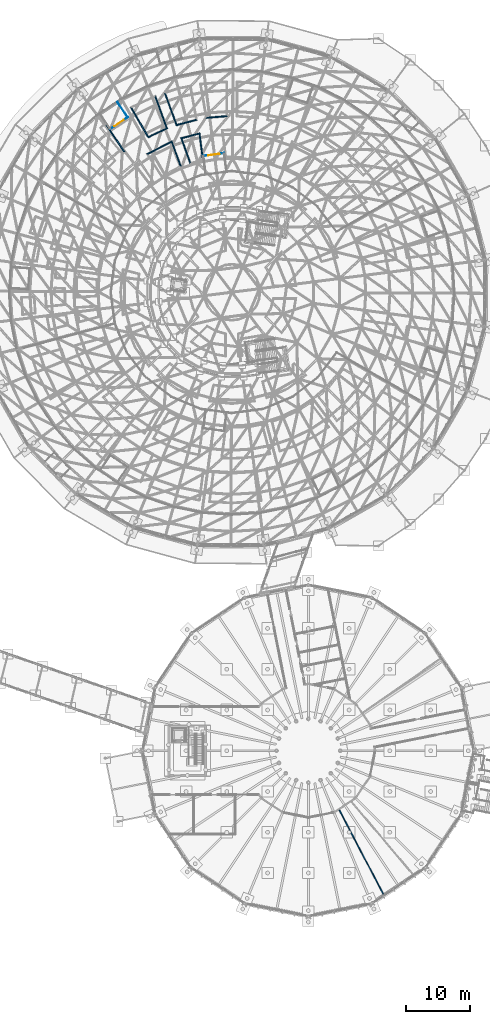
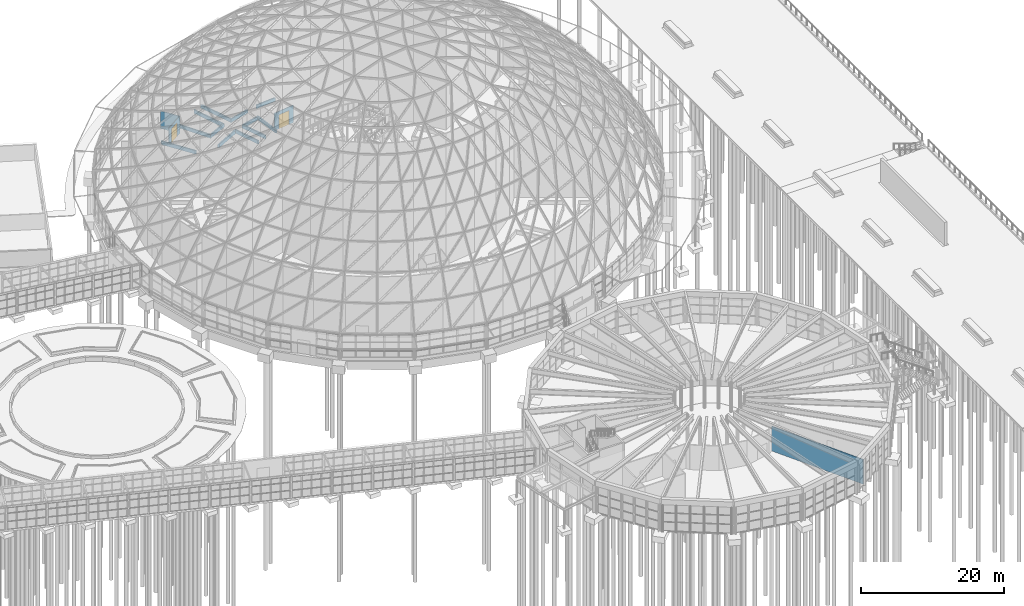
# One storey, part 172 of 226: 16 walls, 2 doors, 2 openings.
"""IFC4 building model written with IfcOpenShell, lengths in metres."""

import ifcopenshell
import ifcopenshell.guid

model = None  # the IFC model being written
_history = None  # IfcOwnerHistory: only IFC2X3 demands one
_inside = {}  # id of a spatial element -> (the spatial element, [elements in it])
_under = {}  # id of a project, library or spatial element -> (it, [spatial elements below it])
_declared = {}  # id of a project -> (the project, [libraries it declares])
_typed = {}  # id of a type object -> (the type object, [elements of that type])
_made_of = {}  # id of a material, layer set ... -> (it, [elements and type objects made of it])


def new_model(schema):
    """Start an empty IFC model of exactly this schema.

    Asked for "IFC4X3", IfcOpenShell would pick the latest addendum, in which some entities
    have other attributes; the version numbers below select the first issue.
    IFC2X3 requires an IfcOwnerHistory on every rooted entity: one is made here for all.
    """
    global model, _history
    if schema == "IFC4X3":
        model = ifcopenshell.file(schema_version=(4, 3, 0, 0))
    else:
        model = ifcopenshell.file(schema=schema)
    _inside.clear()
    _under.clear()
    _declared.clear()
    _typed.clear()
    _made_of.clear()
    _history = None
    if model.schema == "IFC2X3":
        org = make("IfcOrganization", Name="unknown")
        user = make(
            "IfcPersonAndOrganization",
            ThePerson=make("IfcPerson", FamilyName="unknown"),
            TheOrganization=org,
        )
        app = make(
            "IfcApplication",
            ApplicationDeveloper=org,
            Version="unknown",
            ApplicationFullName="unknown",
            ApplicationIdentifier="unknown",
        )
        _history = make(
            "IfcOwnerHistory",
            OwningUser=user,
            OwningApplication=app,
            ChangeAction="ADDED",
            CreationDate=0,
        )
    return model


def make(cls, **values):
    """One entity of the class cls with the attributes given. An attribute that is None is left unset."""
    return model.create_entity(
        cls, **{name: value for name, value in values.items() if value is not None}
    )


def rooted(cls, **values):
    """An entity with a GlobalId (a new one), such as an element, a storey or a relation."""
    return make(cls, GlobalId=ifcopenshell.guid.new(), OwnerHistory=_history, **values)


def si_unit(unit_type, name, prefix=None):
    """IfcSIUnit, for example si_unit("LENGTHUNIT", "METRE", prefix="MILLI")."""
    return make("IfcSIUnit", UnitType=unit_type, Prefix=prefix, Name=name)


def assignment(units):
    """IfcUnitAssignment: the units of a project."""
    return None if units is None else make("IfcUnitAssignment", Units=units)


def point(xyz):
    """IfcCartesianPoint."""
    return None if xyz is None else make("IfcCartesianPoint", Coordinates=xyz)


def direction(xyz):
    """IfcDirection."""
    return None if xyz is None else make("IfcDirection", DirectionRatios=xyz)


def frame(location, z_axis=None, x_axis=None):
    """IfcAxis2Placement3D, a coordinate frame: its origin and axes. An axis left out is left unset."""
    return make(
        "IfcAxis2Placement3D",
        Location=point(location),
        Axis=direction(z_axis),
        RefDirection=direction(x_axis),
    )


def frame_2d(location, x_axis=None):
    """IfcAxis2Placement2D, a coordinate frame in the plane: its origin and x axis."""
    return make(
        "IfcAxis2Placement2D", Location=point(location), RefDirection=direction(x_axis)
    )


def origin():
    """The frame at (0, 0, 0) with its axes left unset."""
    return frame((0.0, 0.0, 0.0))


def place(relative_to, where):
    """IfcLocalPlacement: puts the frame where relative to a parent placement (None: the world)."""
    return make(
        "IfcLocalPlacement", PlacementRelTo=relative_to, RelativePlacement=where
    )


def context(
    kind, dimensions, precision=None, world=None, true_north=None, identifier=None
):
    """IfcGeometricRepresentationContext, for example the 3D "Model" context."""
    return make(
        "IfcGeometricRepresentationContext",
        ContextIdentifier=identifier,
        ContextType=kind,
        CoordinateSpaceDimension=dimensions,
        Precision=precision,
        WorldCoordinateSystem=world,
        TrueNorth=true_north,
    )


def subcontext(parent, identifier, kind, view, scale=None):
    """IfcGeometricRepresentationSubContext, for example "Body" below "Model"."""
    return make(
        "IfcGeometricRepresentationSubContext",
        ContextIdentifier=identifier,
        ContextType=kind,
        ParentContext=parent,
        TargetScale=scale,
        TargetView=view,
    )


def project(units=None, contexts=None):
    """IfcProject with its units and contexts."""
    return rooted(
        "IfcProject",
        Name="project",
        RepresentationContexts=contexts,
        UnitsInContext=assignment(units),
    )


def spatial(cls, under=None, at=None, **own):
    """A site, building, storey or space (cls), placed at a placement, below another one or the project."""
    s = rooted(cls, ObjectPlacement=at, **own)
    if under is not None:
        _under.setdefault(under.id(), (under, []))[1].append(s)
    return s


def polyline(points):
    """IfcPolyline through the points."""
    return make("IfcPolyline", Points=[point(p) for p in points])


def profile(cls, at=None, kind="AREA", **sizes):
    """A parametric profile (cls). Its sizes go by their IFC names, for example OverallWidth=200.0."""
    return make(cls, ProfileType=kind, Position=at, **sizes)


def rectangle(**sizes):
    """IfcRectangleProfileDef."""
    return profile("IfcRectangleProfileDef", **sizes)


def outline(outer, holes=None, kind="AREA"):
    """IfcArbitraryClosedProfileDef: a profile drawn as a closed curve; with holes, ...WithVoids."""
    if holes is None:
        return make("IfcArbitraryClosedProfileDef", ProfileType=kind, OuterCurve=outer)
    return make(
        "IfcArbitraryProfileDefWithVoids",
        ProfileType=kind,
        OuterCurve=outer,
        InnerCurves=holes,
    )


def extrude(swept, where, along, depth):
    """IfcExtrudedAreaSolid: the profile swept, set in the frame where, extruded along a direction by depth."""
    return make(
        "IfcExtrudedAreaSolid",
        SweptArea=swept,
        Position=where,
        ExtrudedDirection=direction(along),
        Depth=depth,
    )


def shape(context_of_items, identifier, shape_type, items):
    """IfcShapeRepresentation: the items that make up one representation, for example the "Body"."""
    return make(
        "IfcShapeRepresentation",
        ContextOfItems=context_of_items,
        RepresentationIdentifier=identifier,
        RepresentationType=shape_type,
        Items=items,
    )


def material(Name=None, Category=None):
    """IfcMaterial."""
    return make("IfcMaterial", Name=Name, Category=Category)


def layer(
    of_material, thickness, ventilated=None, Name=None, Category=None, Priority=None
):
    """IfcMaterialLayer: one layer of a wall or slab, of a material (None: an air gap)."""
    return make(
        "IfcMaterialLayer",
        Material=of_material,
        LayerThickness=thickness,
        IsVentilated=ventilated,
        Name=Name,
        Category=Category,
        Priority=Priority,
    )


def layer_set(layers, Name=None):
    """IfcMaterialLayerSet."""
    return make("IfcMaterialLayerSet", MaterialLayers=layers, LayerSetName=Name)


def made_of(thing, what):
    """Note that an element or type object is made of a material, layer set ...; save() writes the relation."""
    if what is not None:
        _made_of.setdefault(what.id(), (what, []))[1].append(thing)
    return thing


def type_object(cls, material=None, **own):
    """A type object (cls), such as IfcWallType, which elements share."""
    return made_of(rooted(cls, **own), material)


def element(
    cls,
    number,
    at=None,
    inside=None,
    cuts=None,
    type_object=None,
    material=None,
    context=None,
    identifier="Body",
    shape_type=None,
    held_by="IfcProductDefinitionShape",
    body=None,
    shapes=None,
    **own,
):
    """One element of the class cls, such as IfcWall. Its Tag is "e" and its number.

    at: its placement. inside: the storey or other place that contains it. cuts: it is an
    opening in that element (IfcRelVoidsElement). A single representation is given by context,
    identifier, shape_type and body (its items); several are given by shapes. held_by: the class
    of the entity that holds the representations. save() writes the other relations.
    """
    e = rooted(cls, Tag="e%d" % number, ObjectPlacement=at, **own)
    if body is not None:
        shapes = [shape(context, identifier, shape_type, body)]
    if shapes is not None:
        e.Representation = make(held_by, Representations=shapes)
    if inside is not None:
        _inside.setdefault(inside.id(), (inside, []))[1].append(e)
    if cuts is not None:
        rooted(
            "IfcRelVoidsElement", RelatingBuildingElement=cuts, RelatedOpeningElement=e
        )
    if type_object is not None:
        _typed.setdefault(type_object.id(), (type_object, []))[1].append(e)
    return made_of(e, material)


def fill(opening, filler):
    """IfcRelFillsElement: the door or window that sits in an opening."""
    return rooted(
        "IfcRelFillsElement",
        RelatingOpeningElement=opening,
        RelatedBuildingElement=filler,
    )


def aggregate(whole, parts):
    """IfcRelAggregates: a whole, such as a stair, and the parts it consists of."""
    return rooted("IfcRelAggregates", RelatingObject=whole, RelatedObjects=parts)


def save(model, path):
    """Write the relations noted so far, then the file.

    IfcRelAggregates (storeys below a building ...), IfcRelContainedInSpatialStructure (elements
    in a storey), IfcRelDefinesByType, IfcRelAssociatesMaterial and IfcRelDeclares: one each for
    every whole, place, type object, material and project.
    """
    for whole, parts in _under.values():
        aggregate(whole, parts)
    for where, things in _inside.values():
        rooted(
            "IfcRelContainedInSpatialStructure",
            RelatedElements=things,
            RelatingStructure=where,
        )
    for kind, things in _typed.values():
        rooted("IfcRelDefinesByType", RelatedObjects=things, RelatingType=kind)
    for what, things in _made_of.values():
        rooted("IfcRelAssociatesMaterial", RelatedObjects=things, RelatingMaterial=what)
    for by, libraries in _declared.values():
        rooted("IfcRelDeclares", RelatingContext=by, RelatedDefinitions=libraries)
    model.write(path)


model = new_model("IFC4")

# Units and contexts
model_context = context("Model", 3, precision=1e-05, world=origin(), true_north=direction((0.0, 1.0)))
body_context = subcontext(model_context, "Body", "Model", "MODEL_VIEW")
ifc_project = project(units=[si_unit("LENGTHUNIT", "METRE"), si_unit("AREAUNIT", "SQUARE_METRE"), si_unit("VOLUMEUNIT", "CUBIC_METRE"), si_unit("PLANEANGLEUNIT", "RADIAN"), si_unit("MASSUNIT", "GRAM", prefix="KILO")], contexts=[model_context])

# Site, building, storey
site_placement = place(None, origin())
site = spatial("IfcSite", under=ifc_project, at=site_placement, CompositionType="ELEMENT")
building_placement = place(site_placement, origin())
building = spatial("IfcBuilding", under=site, at=building_placement, Name="Ceibo Conservatory and Research Tower", CompositionType="ELEMENT")
storey_placement = place(building_placement, origin())
storey = spatial("IfcBuildingStorey", under=building, at=storey_placement, Name="L00", CompositionType="ELEMENT", Elevation=0.0)

# Wall
ifc_material_1 = material(Name="Aluminium and glass", Category="aluminium")
ifc_layer_1 = layer(ifc_material_1, 0.10009765625)
ifc_layer_set_1 = layer_set([ifc_layer_1], Name="Aluminium and glass")
wall_type_1 = type_object("IfcWallType", Name="Airlock screen wall 100", PredefinedType="PARTITIONING", material=ifc_layer_set_1)
wall_1_placement = place(storey_placement, frame((138.024169921875, 137.872802734375, 0.0), z_axis=(0.0, 0.0, 1.0), x_axis=(0.555569638572, -0.8314700095, 0.0)))
element("IfcWall", 1, at=wall_1_placement, inside=storey, type_object=wall_type_1, Name="Glazed partition A", PredefinedType="PARTITIONING", context=body_context, shape_type="SweptSolid", body=[
    extrude(rectangle(XDim=2.850341796875, YDim=0.10009765625, at=frame_2d((1.42529296875, 0.0))), origin(), (0.0, 0.0, 1.0), 3.0),
])

# Wall, opening, door
wall_2_placement = place(storey_placement, frame((139.677001953125, 135.4892578125, 0.0), z_axis=(0.0, 0.0, 1.0), x_axis=(-0.831464319789, -0.555578153744, 0.0)))
wall_2 = element("IfcWall", 2, at=wall_2_placement, inside=storey, type_object=wall_type_1, Name="Glazed partition A", PredefinedType="PARTITIONING", context=body_context, shape_type="SweptSolid", body=[
    extrude(rectangle(XDim=3.39990234375, YDim=0.10009765625, at=frame_2d((1.699951171875, 0.0))), origin(), (0.0, 0.0, 1.0), 3.0),
])
opening_1_placement = place(wall_2_placement, frame((0.800048828125, 0.0, 0.0)))
opening_1 = element("IfcOpeningElement", 3, at=opening_1_placement, cuts=wall_2, Name="Opening A-AL04", PredefinedType="OPENING", context=body_context, shape_type="SweptSolid", body=[
    extrude(rectangle(XDim=1.800048828125, YDim=2.39990234375, at=frame_2d((0.89990234375, 1.199951171875))), frame((0.0, 0.06005859375, 0.0), z_axis=(0.0, -1.0, 0.0), x_axis=(1.0, 0.0, 0.0)), (0.0, 0.0, 1.0), 0.1201171875),
])
door_type = type_object("IfcDoorType", Name="Glass sliding door 1800x2400", OperationType="DOUBLE_DOOR_SLIDING", PredefinedType="DOOR", material=ifc_material_1)
door_1_placement = place(opening_1_placement, origin())
door_1 = element("IfcDoor", 4, at=door_1_placement, inside=storey, type_object=door_type, Name="Airlock door A-AL04", OperationType="DOUBLE_DOOR_SLIDING", OverallHeight=2.39990234375, OverallWidth=1.800048828125, PredefinedType="DOOR", context=body_context, shape_type="SweptSolid", body=[
    extrude(rectangle(XDim=1.800048828125, YDim=2.39990234375, at=frame_2d((0.89990234375, 1.199951171875))), frame((0.0, 0.02490234375, 0.0), z_axis=(0.0, -1.0, 0.0), x_axis=(1.0, 0.0, 0.0)), (0.0, 0.0, 1.0), 0.050048828125),
])
fill(opening_1, door_1)

wall_3_placement = place(storey_placement, frame((154.841552734375, 129.822998046875, 0.0), z_axis=(0.0, 0.0, 1.0), x_axis=(-0.991442315347, -0.130545529753, 0.0)))
wall_3 = element("IfcWall", 5, at=wall_3_placement, inside=storey, type_object=wall_type_1, Name="Glazed partition A", PredefinedType="PARTITIONING", context=body_context, shape_type="SweptSolid", body=[
    extrude(rectangle(XDim=3.39990234375, YDim=0.10009765625, at=frame_2d((1.699951171875, 0.0))), origin(), (0.0, 0.0, 1.0), 3.0),
])
opening_2_placement = place(wall_3_placement, frame((0.800048828125, 0.0, 0.0)))
opening_2 = element("IfcOpeningElement", 6, at=opening_2_placement, cuts=wall_3, Name="Opening A-AL16", PredefinedType="OPENING", context=body_context, shape_type="SweptSolid", body=[
    extrude(rectangle(XDim=1.800048828125, YDim=2.39990234375, at=frame_2d((0.89990234375, 1.199951171875))), frame((0.0, 0.06005859375, 0.0), z_axis=(0.0, -1.0, 0.0), x_axis=(1.0, 0.0, 0.0)), (0.0, 0.0, 1.0), 0.1201171875),
])
door_2_placement = place(opening_2_placement, origin())
door_2 = element("IfcDoor", 7, at=door_2_placement, inside=storey, type_object=door_type, Name="Airlock door A-AL16", OperationType="DOUBLE_DOOR_SLIDING", OverallHeight=2.39990234375, OverallWidth=1.800048828125, PredefinedType="DOOR", context=body_context, shape_type="SweptSolid", body=[
    extrude(rectangle(XDim=1.800048828125, YDim=2.39990234375, at=frame_2d((0.89990234375, 1.199951171875))), frame((0.0, 0.02490234375, 0.0), z_axis=(0.0, -1.0, 0.0), x_axis=(1.0, 0.0, 0.0)), (0.0, 0.0, 1.0), 0.050048828125),
])
fill(opening_2, door_2)

# Walls
ifc_material_2 = material(Name="Plasterboard on metal studs, fire board")
ifc_layer_2 = layer(ifc_material_2, 0.14990234375)
ifc_layer_set_2 = layer_set([ifc_layer_2], Name="Plasterboard on metal studs, fire board")
wall_type_2 = type_object("IfcWallType", Name="Corridor wall 150 EI 60", PredefinedType="PARTITIONING", material=ifc_layer_set_2)
wall_4_placement = place(storey_placement, frame((172.829345703125, 26.757080078125, 0.0), z_axis=(0.0, 0.0, 1.0), x_axis=(0.463094445058, -0.886308938777, 0.0)))
element("IfcWall", 8, at=wall_4_placement, inside=storey, type_object=wall_type_2, Name="Partition 00.047", PredefinedType="PARTITIONING", context=body_context, shape_type="SweptSolid", body=[
    extrude(rectangle(XDim=15.139404296875, YDim=0.14990234375, at=frame_2d((7.56982421875, 0.0))), origin(), (0.0, 0.0, 1.0), 4.199951171875),
])
ifc_material_3 = material(Name="Masonry blockwork", Category="masonry")
ifc_layer_3 = layer(ifc_material_3, 0.199951171875)
ifc_layer_set_3 = layer_set([ifc_layer_3], Name="Masonry blockwork")
wall_type_3 = type_object("IfcWallType", Name="Dome planter wall 200", PredefinedType="SOLIDWALL", material=ifc_layer_set_3)
wall_5_placement = place(storey_placement, frame((151.451416015625, 128.760009765625, 0.0), z_axis=(0.0, 0.0, 1.0), x_axis=(-0.13053723822, 0.991443407078, 0.0)))
element("IfcWall", 9, at=wall_5_placement, inside=storey, type_object=wall_type_3, Name="Planter wall A-PB031", PredefinedType="SOLIDWALL", context=body_context, shape_type="SweptSolid", body=[
    extrude(outline(polyline([(-0.08740234375, -0.10009765625), (4.3125, -0.10009765625), (4.0849609375, 0.10009765625), (0.08740234375, 0.10009765625), (-0.08740234375, -0.10009765625)])), origin(), (0.0, 0.0, 1.0), 0.60009765625),
])
wall_6_placement = place(storey_placement, frame((150.9033203125, 132.9228515625, 0.0), z_axis=(0.0, 0.0, 1.0), x_axis=(-0.966516278232, -0.256605307646, 0.0)))
element("IfcWall", 10, at=wall_6_placement, inside=storey, type_object=wall_type_3, Name="Planter wall A-PB031", PredefinedType="SOLIDWALL", context=body_context, shape_type="SweptSolid", body=[
    extrude(outline(polyline([(-0.11376953125, -0.10009765625), (3.055908203125, -0.10009765625), (2.837158203125, 0.10009765625), (0.11376953125, 0.10009765625), (-0.11376953125, -0.10009765625)])), origin(), (0.0, 0.0, 1.0), 0.60009765625),
])
wall_7_placement = place(storey_placement, frame((148.055419921875, 132.166748046875, 0.0), z_axis=(0.0, 0.0, 1.0), x_axis=(0.342014384196, -0.939694716918, 0.0)))
element("IfcWall", 11, at=wall_7_placement, inside=storey, type_object=wall_type_3, Name="Planter wall A-PB031", PredefinedType="SOLIDWALL", context=body_context, shape_type="SweptSolid", body=[
    extrude(outline(polyline([(-0.109375, -0.10009765625), (4.281982421875, -0.10009765625), (4.098388671875, 0.10009765625), (0.109375, 0.10009765625), (-0.109375, -0.10009765625)])), origin(), (0.0, 0.0, 1.0), 0.60009765625),
])
wall_8_placement = place(storey_placement, frame((147.9658203125, 127.734619140625, 0.0), z_axis=(0.0, 0.0, 1.0), x_axis=(-0.34203510245, 0.939687175975, 0.0)))
element("IfcWall", 12, at=wall_8_placement, inside=storey, type_object=wall_type_3, Name="Planter wall A-PB032", PredefinedType="SOLIDWALL", context=body_context, shape_type="SweptSolid", body=[
    extrude(outline(polyline([(-0.087890625, -0.10009765625), (4.274169921875, -0.10009765625), (4.048583984375, 0.10009765625), (0.087890625, 0.10009765625), (-0.087890625, -0.10009765625)])), origin(), (0.0, 0.0, 1.0), 0.60009765625),
])
wall_9_placement = place(storey_placement, frame((146.54248046875, 131.64501953125, 0.0), z_axis=(0.0, 0.0, 1.0), x_axis=(-0.892108995923, -0.451820251198, 0.0)))
element("IfcWall", 13, at=wall_9_placement, inside=storey, type_object=wall_type_3, Name="Planter wall A-PB032", PredefinedType="SOLIDWALL", context=body_context, shape_type="SweptSolid", body=[
    extrude(outline(polyline([(-0.11279296875, -0.10009765625), (4.43115234375, -0.10009765625), (4.20703125, 0.10009765625), (0.11279296875, 0.10009765625), (-0.11279296875, -0.10009765625)])), origin(), (0.0, 0.0, 1.0), 0.60009765625),
])
wall_10_placement = place(storey_placement, frame((151.98583984375, 135.373046875, 0.0), z_axis=(0.0, 0.0, 1.0), x_axis=(0.996413502028, 0.084617568953, 0.0)))
element("IfcWall", 14, at=wall_10_placement, inside=storey, type_object=wall_type_3, Name="Planter wall A-PB041", PredefinedType="SOLIDWALL", context=body_context, shape_type="SweptSolid", body=[
    extrude(outline(polyline([(-0.09130859375, -0.10009765625), (3.3173828125, -0.10009765625), (3.1337890625, 0.10009765625), (0.09130859375, 0.10009765625), (-0.09130859375, -0.10009765625)])), origin(), (0.0, 0.0, 1.0), 0.60009765625),
])
wall_11_placement = place(storey_placement, frame((145.45849609375, 139.301513671875, 0.0), z_axis=(0.0, 0.0, 1.0), x_axis=(0.342037330094, -0.939686365136, 0.0)))
element("IfcWall", 15, at=wall_11_placement, inside=storey, type_object=wall_type_3, Name="Planter wall A-PB042", PredefinedType="SOLIDWALL", context=body_context, shape_type="SweptSolid", body=[
    extrude(outline(polyline([(-0.102294921875, -0.10009765625), (5.487060546875, -0.10009765625), (5.303955078125, 0.10009765625), (0.102294921875, 0.10009765625), (-0.102294921875, -0.10009765625)])), origin(), (0.0, 0.0, 1.0), 0.60009765625),
])
wall_12_placement = place(storey_placement, frame((147.303955078125, 134.2314453125, 0.0), z_axis=(0.0, 0.0, 1.0), x_axis=(0.965920984925, 0.258837112643, 0.0)))
element("IfcWall", 16, at=wall_12_placement, inside=storey, type_object=wall_type_3, Name="Planter wall A-PB042", PredefinedType="SOLIDWALL", context=body_context, shape_type="SweptSolid", body=[
    extrude(outline(polyline([(-0.091552734375, -0.10009765625), (3.312744140625, -0.10009765625), (3.129638671875, 0.10009765625), (0.091552734375, 0.10009765625), (-0.091552734375, -0.10009765625)])), origin(), (0.0, 0.0, 1.0), 0.60009765625),
])
wall_13_placement = place(storey_placement, frame((145.7900390625, 133.712890625, 0.0), z_axis=(0.0, 0.0, 1.0), x_axis=(-0.342055883003, 0.939679611837, 0.0)))
element("IfcWall", 17, at=wall_13_placement, inside=storey, type_object=wall_type_3, Name="Planter wall A-PB043", PredefinedType="SOLIDWALL", context=body_context, shape_type="SweptSolid", body=[
    extrude(outline(polyline([(-0.09130859375, -0.10009765625), (5.497802734375, -0.10009765625), (5.279541015625, 0.10009765625), (0.09130859375, 0.10009765625), (-0.09130859375, -0.10009765625)])), origin(), (0.0, 0.0, 1.0), 0.60009765625),
])
wall_14_placement = place(storey_placement, frame((140.17041015625, 137.017822265625, 0.0), z_axis=(0.0, 0.0, 1.0), x_axis=(0.49998601522, -0.866033477751, 0.0)))
element("IfcWall", 18, at=wall_14_placement, inside=storey, type_object=wall_type_3, Name="Planter wall A-PB043", PredefinedType="SOLIDWALL", context=body_context, shape_type="SweptSolid", body=[
    extrude(outline(polyline([(-0.109130859375, -0.10009765625), (5.490966796875, -0.10009765625), (5.307373046875, 0.10009765625), (0.109130859375, 0.10009765625), (-0.109130859375, -0.10009765625)])), origin(), (0.0, 0.0, 1.0), 0.60009765625),
])
wall_15_placement = place(storey_placement, frame((142.869873046875, 132.342041015625, 0.0), z_axis=(0.0, 0.0, 1.0), x_axis=(0.905217932566, 0.424947637435, 0.0)))
element("IfcWall", 19, at=wall_15_placement, inside=storey, type_object=wall_type_3, Name="Planter wall A-PB043", PredefinedType="SOLIDWALL", context=body_context, shape_type="SweptSolid", body=[
    extrude(outline(polyline([(-0.091796875, -0.10009765625), (3.317138671875, -0.10009765625), (3.134521484375, 0.10009765625), (0.091796875, 0.10009765625), (-0.091796875, -0.10009765625)])), origin(), (0.0, 0.0, 1.0), 0.60009765625),
])
wall_16_placement = place(storey_placement, frame((139.146240234375, 129.98388671875, 0.0), z_axis=(0.0, 0.0, 1.0), x_axis=(-0.555590320433, 0.831456189971, 0.0)))
element("IfcWall", 20, at=wall_16_placement, inside=storey, type_object=wall_type_3, Name="Planter wall A-PB044", PredefinedType="SOLIDWALL", context=body_context, shape_type="SweptSolid", body=[
    extrude(outline(polyline([(-0.087646484375, -0.10009765625), (5.486572265625, -0.10009765625), (5.269775390625, 0.10009765625), (0.087646484375, 0.10009765625), (-0.087646484375, -0.10009765625)])), origin(), (0.0, 0.0, 1.0), 0.60009765625),
])

save(model, "model.ifc")
